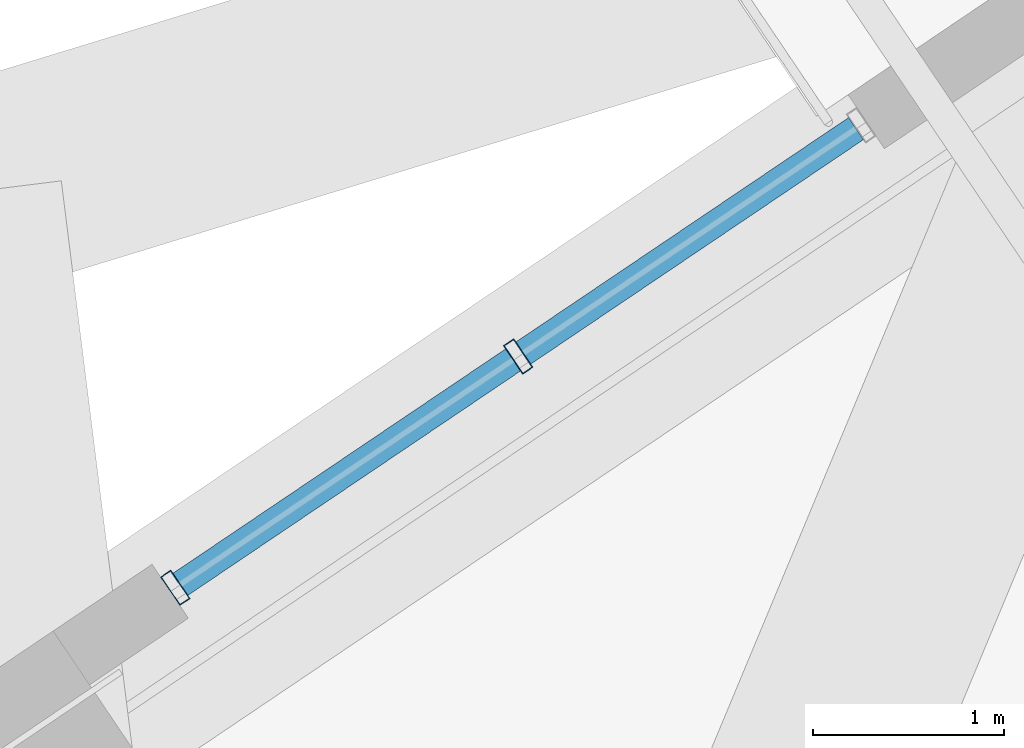
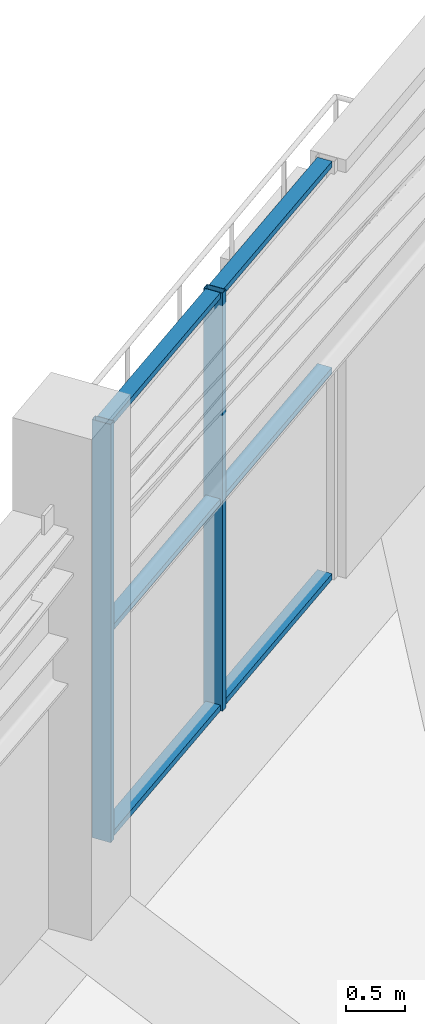
# One storey, part 6 of 21: 8 members, 1 element without a shape of its own.
"""IFC4 building model written with IfcOpenShell, lengths in metres."""

from ifc_helpers import new_model, si_unit, direction, frame, origin, origin_2d, place, context, subcontext, project, spatial, hollow_rectangle, extrude, source, transform, mapped, material, layer, layer_set, material_profile, profile_set, type_object, element, aggregate, save


model = new_model("IFC4")

# Units and contexts
model_context = context("Model", 3, precision=1e-05, world=origin(), true_north=direction((0.0, 1.0)))
body_context = subcontext(model_context, "Body", "Model", "MODEL_VIEW")
ifc_project = project(units=[si_unit("LENGTHUNIT", "METRE"), si_unit("AREAUNIT", "SQUARE_METRE"), si_unit("VOLUMEUNIT", "CUBIC_METRE"), si_unit("PLANEANGLEUNIT", "RADIAN"), si_unit("MASSUNIT", "GRAM", prefix="KILO"), si_unit("THERMODYNAMICTEMPERATUREUNIT", "KELVIN")], contexts=[model_context])

# Site, building, storey
site_placement = place(None, origin())
site = spatial("IfcSite", under=ifc_project, at=site_placement, CompositionType="ELEMENT")
building_placement = place(site_placement, origin())
building = spatial("IfcBuilding", under=site, at=building_placement, Name="Kosmvard Interchange Tower", CompositionType="ELEMENT")
storey_placement = place(building_placement, frame((0.0, 0.0, 139.199951171875)))
storey = spatial("IfcBuildingStorey", under=building, at=storey_placement, Name="L33", CompositionType="ELEMENT", Elevation=139.199951171875)

# Curtain wall, members
ifc_material = material(Name="Architectural anodised aluminium", Category="aluminium")
ifc_layer = layer(ifc_material, 0.179931640625, Name="Architectural anodised aluminium")
ifc_layer_set = layer_set([ifc_layer], Name="Architectural anodised aluminium")
curtain_wall_type = type_object("IfcCurtainWallType", Name="CW-3 Sky-Garden Vestibule Curtain Wall", PredefinedType="NOTDEFINED", material=ifc_layer_set)
curtain_wall_placement = place(storey_placement, origin())
curtain_wall = element("IfcCurtainWall", 1, at=curtain_wall_placement, inside=storey, type_object=curtain_wall_type, Name="L33 Sky-Garden Curtain Wall N", PredefinedType="NOTDEFINED")
ifc_material_profile_1 = material_profile(ifc_material, hollow_rectangle(XDim=0.179931640625, YDim=0.06494140625, WallThickness=0.00390625, at=origin_2d()), Name="CWM 180x65x4")
ifc_profile_set_1 = profile_set([ifc_material_profile_1], Name="Architectural anodised aluminium")
member_type_1 = type_object("IfcMemberType", Name="Sky-Garden CW Mullion 180x65 Aluminium", PredefinedType="MULLION", material=ifc_profile_set_1)
shared_shape_1 = source(origin(), body_context, "Body", "SweptSolid", [
    extrude(hollow_rectangle(XDim=0.179931640625, YDim=0.06494140625, WallThickness=0.00390625, at=origin_2d()), origin(), (0.0, 0.0, 1.0), 4.340087890625),
])
member_1_placement = place(storey_placement, frame((-11.511474609375, 22.788818359375, 0.0), z_axis=(0.0, 0.0, 1.0), x_axis=(0.559192710637, -0.829037702623, 0.0)))
member_1 = element("IfcMember", 2, at=member_1_placement, type_object=member_type_1, Name="CW-3 mullion 2", PredefinedType="MULLION", context=body_context, shape_type="MappedRepresentation", body=[
    mapped(shared_shape_1, transform((0.0, 0.0, 0.0), scale=1.0)),
])
member_2_placement = place(storey_placement, frame((-13.308349609375, 21.576904296875, 0.0), z_axis=(0.0, 0.0, 1.0), x_axis=(0.559192710637, -0.829037702623, 0.0)))
member_2 = element("IfcMember", 3, at=member_2_placement, type_object=member_type_1, Name="CW-3 mullion 3", PredefinedType="MULLION", context=body_context, shape_type="MappedRepresentation", body=[
    mapped(shared_shape_1, transform((0.0, 0.0, 0.0), scale=1.0)),
])
ifc_material_profile_2 = material_profile(ifc_material, hollow_rectangle(XDim=0.139892578125, YDim=0.06005859375, WallThickness=0.00390625, at=origin_2d()), Name="CWT 140x60x4")
ifc_profile_set_2 = profile_set([ifc_material_profile_2], Name="Architectural anodised aluminium")
member_type_2 = type_object("IfcMemberType", Name="Sky-Garden CW Transom 140x60 Aluminium", PredefinedType="USERDEFINED", material=ifc_profile_set_2)
shared_shape_2 = source(origin(), body_context, "Body", "SweptSolid", [
    extrude(hollow_rectangle(XDim=0.139892578125, YDim=0.06005859375, WallThickness=0.00390625, at=origin_2d()), origin(), (0.0, 0.0, 1.0), 2.1025390625),
])
member_3_placement = place(storey_placement, frame((-9.741455078125, 23.98291015625, 0.030029296875), z_axis=(-0.829000764821, -0.559247469307, 0.0), x_axis=(0.559247469307, -0.829000764821, 0.0)))
member_3 = element("IfcMember", 4, at=member_3_placement, type_object=member_type_2, Name="CW-3 transom 1.1", ObjectType="TRANSOM", PredefinedType="USERDEFINED", context=body_context, shape_type="MappedRepresentation", body=[
    mapped(shared_shape_2, transform((0.0, 0.0, 0.0), scale=1.0)),
])
member_4_placement = place(storey_placement, frame((-9.741455078125, 23.98291015625, 2.170166015625), z_axis=(-0.829000764821, -0.559247469307, 0.0), x_axis=(0.559247469307, -0.829000764821, 0.0)))
member_4 = element("IfcMember", 5, at=member_4_placement, type_object=member_type_2, Name="CW-3 transom 1.2", ObjectType="TRANSOM", PredefinedType="USERDEFINED", context=body_context, shape_type="MappedRepresentation", body=[
    mapped(shared_shape_2, transform((0.0, 0.0, 0.0), scale=1.0)),
])
member_5_placement = place(storey_placement, frame((-9.741455078125, 23.98291015625, 4.31005859375), z_axis=(-0.829000764821, -0.559247469307, 0.0), x_axis=(0.559247469307, -0.829000764821, 0.0)))
member_5 = element("IfcMember", 6, at=member_5_placement, type_object=member_type_2, Name="CW-3 transom 1.3", ObjectType="TRANSOM", PredefinedType="USERDEFINED", context=body_context, shape_type="MappedRepresentation", body=[
    mapped(shared_shape_2, transform((0.0, 0.0, 0.0), scale=1.0)),
])
member_6_placement = place(storey_placement, frame((-11.538330078125, 22.770751953125, 0.030029296875), z_axis=(-0.829037077885, -0.559193636848, 0.0), x_axis=(0.559193636848, -0.829037077885, 0.0)))
member_6 = element("IfcMember", 7, at=member_6_placement, type_object=member_type_2, Name="CW-3 transom 2.1", ObjectType="TRANSOM", PredefinedType="USERDEFINED", context=body_context, shape_type="MappedRepresentation", body=[
    mapped(shared_shape_2, transform((0.0, 0.0, 0.0), scale=1.0)),
])
member_7_placement = place(storey_placement, frame((-11.538330078125, 22.770751953125, 2.170166015625), z_axis=(-0.829037077885, -0.559193636848, 0.0), x_axis=(0.559193636848, -0.829037077885, 0.0)))
member_7 = element("IfcMember", 8, at=member_7_placement, type_object=member_type_2, Name="CW-3 transom 2.2", ObjectType="TRANSOM", PredefinedType="USERDEFINED", context=body_context, shape_type="MappedRepresentation", body=[
    mapped(shared_shape_2, transform((0.0, 0.0, 0.0), scale=1.0)),
])
member_8_placement = place(storey_placement, frame((-11.538330078125, 22.770751953125, 4.31005859375), z_axis=(-0.829037077885, -0.559193636848, 0.0), x_axis=(0.559193636848, -0.829037077885, 0.0)))
member_8 = element("IfcMember", 9, at=member_8_placement, type_object=member_type_2, Name="CW-3 transom 2.3", ObjectType="TRANSOM", PredefinedType="USERDEFINED", context=body_context, shape_type="MappedRepresentation", body=[
    mapped(shared_shape_2, transform((0.0, 0.0, 0.0), scale=1.0)),
])
aggregate(curtain_wall, [member_1, member_2, member_3, member_4, member_5, member_6, member_7, member_8])

save(model, "model.ifc")
